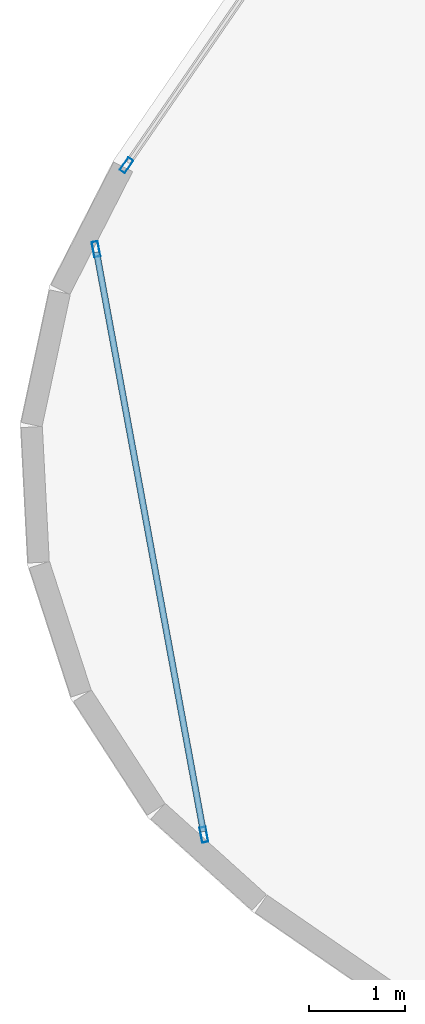
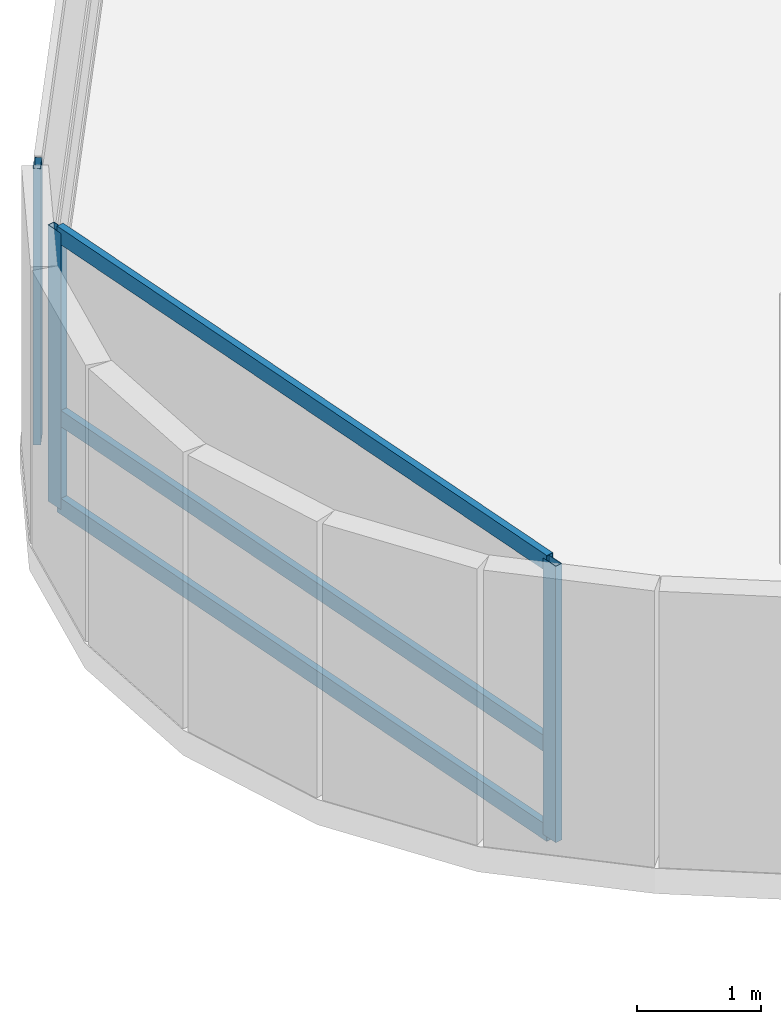
# One storey, part 4 of 26: 6 members, 2 elements without a shape of their own.
"""IFC4 building model written with IfcOpenShell, lengths in metres."""

from ifc_helpers import new_model, si_unit, direction, frame, origin, origin_2d, place, context, subcontext, project, spatial, hollow_rectangle, extrude, material, layer, layer_set, material_profile, profile_set, type_object, element, aggregate, save


model = new_model("IFC4")

# Units and contexts
model_context = context("Model", 3, precision=1e-05, world=origin(), true_north=direction((0.0, 1.0)))
body_context = subcontext(model_context, "Body", "Model", "MODEL_VIEW")
ifc_project = project(units=[si_unit("LENGTHUNIT", "METRE"), si_unit("AREAUNIT", "SQUARE_METRE"), si_unit("VOLUMEUNIT", "CUBIC_METRE"), si_unit("PLANEANGLEUNIT", "RADIAN"), si_unit("MASSUNIT", "GRAM", prefix="KILO")], contexts=[model_context])

# Site, building, storey
site_placement = place(None, origin())
site = spatial("IfcSite", under=ifc_project, at=site_placement, CompositionType="ELEMENT")
building_placement = place(site_placement, origin())
building = spatial("IfcBuilding", under=site, at=building_placement, Name="Varnelok Gate Tower", CompositionType="ELEMENT")
storey_placement = place(building_placement, frame((0.0, 0.0, 45.5)))
storey = spatial("IfcBuildingStorey", under=building, at=storey_placement, Name="L10", CompositionType="ELEMENT", Elevation=45.5)

# Curtain wall, member
ifc_material = material(Name="Anodized Aluminum Alloy 6063-T6", Category="aluminium")
ifc_layer_1 = layer(ifc_material, 0.179931640625)
ifc_layer_set_1 = layer_set([ifc_layer_1], Name="Anodized Aluminum Alloy 6063-T6")
curtain_wall_type_1 = type_object("IfcCurtainWallType", Name="CW3-HOTEL-VISION", PredefinedType="USERDEFINED", material=ifc_layer_set_1)
curtain_wall_1_placement = place(storey_placement, origin())
curtain_wall_1 = element("IfcCurtainWall", 1, at=curtain_wall_1_placement, inside=storey, type_object=curtain_wall_type_1, Name="L10 West End Vision Curtain Wall", ObjectType="UNITISED CURTAIN WALL", PredefinedType="USERDEFINED")
ifc_material_profile_1 = material_profile(ifc_material, hollow_rectangle(XDim=0.06494140625, YDim=0.159912109375, WallThickness=0.00390625, at=origin_2d()), Name="ALU160X65X4")
ifc_profile_set_1 = profile_set([ifc_material_profile_1], Name="Anodized Aluminum Alloy 6063-T6")
member_type_1 = type_object("IfcMemberType", Name="CW-MULL-160", PredefinedType="MULLION", material=ifc_profile_set_1)
member_1_placement = place(storey_placement, frame((-4.1240234375, 31.2607421875, 0.0), z_axis=(0.0, 0.0, 1.0), x_axis=(-0.823532685111, 0.567268822124, 0.0)))
member_1 = element("IfcMember", 2, at=member_1_placement, type_object=member_type_1, Name="CW3 mullion 1", PredefinedType="MULLION", context=body_context, shape_type="SweptSolid", body=[
    extrude(hollow_rectangle(XDim=0.06494140625, YDim=0.159912109375, WallThickness=0.00390625, at=origin_2d()), origin(), (0.0, 0.0, 1.0), 2.72998046875),
])
aggregate(curtain_wall_1, [member_1])

# Curtain wall, members
ifc_layer_2 = layer(ifc_material, 0.179931640625)
ifc_layer_set_2 = layer_set([ifc_layer_2], Name="Anodized Aluminum Alloy 6063-T6")
curtain_wall_type_2 = type_object("IfcCurtainWallType", Name="CW5-WINDCORNER-GLAZ", PredefinedType="USERDEFINED", material=ifc_layer_set_2)
curtain_wall_2_placement = place(storey_placement, origin())
curtain_wall_2 = element("IfcCurtainWall", 3, at=curtain_wall_2_placement, inside=storey, type_object=curtain_wall_type_2, Name="L10 Wind-Shaped Corner Curtain Wall SW", ObjectType="STRUCTURAL GLAZING", PredefinedType="USERDEFINED")
member_2_placement = place(storey_placement, frame((-4.43994140625, 30.39111328125, 0.0), z_axis=(0.0, 0.0, 1.0), x_axis=(0.983445670001, 0.181203239917, 0.0)))
member_2 = element("IfcMember", 4, at=member_2_placement, type_object=member_type_1, Name="CW5 mullion 1", PredefinedType="MULLION", context=body_context, shape_type="SweptSolid", body=[
    extrude(hollow_rectangle(XDim=0.06494140625, YDim=0.159912109375, WallThickness=0.00390625, at=origin_2d()), origin(), (0.0, 0.0, 1.0), 2.72998046875),
])
member_3_placement = place(storey_placement, frame((-3.32177734375, 24.321533203125, 0.0), z_axis=(0.0, 0.0, 1.0), x_axis=(0.983445670001, 0.181203239917, 0.0)))
member_3 = element("IfcMember", 5, at=member_3_placement, type_object=member_type_1, Name="CW5 mullion 2", PredefinedType="MULLION", context=body_context, shape_type="SweptSolid", body=[
    extrude(hollow_rectangle(XDim=0.06494140625, YDim=0.159912109375, WallThickness=0.00390625, at=origin_2d()), origin(), (0.0, 0.0, 1.0), 2.72998046875),
])
ifc_material_profile_2 = material_profile(ifc_material, hollow_rectangle(XDim=0.06494140625, YDim=0.159912109375, WallThickness=0.00390625, at=origin_2d()), Name="ALU160X65X4")
ifc_profile_set_2 = profile_set([ifc_material_profile_2], Name="Anodized Aluminum Alloy 6063-T6")
member_type_2 = type_object("IfcMemberType", Name="CW-TRAN-160", PredefinedType="USERDEFINED", material=ifc_profile_set_2)
member_4_placement = place(storey_placement, frame((-4.43408203125, 30.359130859375, 0.032470703125), z_axis=(0.181185833203, -0.983448877088, 0.0), x_axis=(0.983448877088, 0.181185833203, 0.0)))
member_4 = element("IfcMember", 6, at=member_4_placement, type_object=member_type_2, Name="CW5 transom 1.1", ObjectType="TRANSOM", PredefinedType="USERDEFINED", context=body_context, shape_type="SweptSolid", body=[
    extrude(hollow_rectangle(XDim=0.06494140625, YDim=0.159912109375, WallThickness=0.00390625, at=origin_2d()), origin(), (0.0, 0.0, 1.0), 6.106689453125),
])
member_5_placement = place(storey_placement, frame((-4.43408203125, 30.359130859375, 0.89990234375), z_axis=(0.181185833203, -0.983448877088, 0.0), x_axis=(0.983448877088, 0.181185833203, 0.0)))
member_5 = element("IfcMember", 7, at=member_5_placement, type_object=member_type_2, Name="CW5 transom 1.2", ObjectType="TRANSOM", PredefinedType="USERDEFINED", context=body_context, shape_type="SweptSolid", body=[
    extrude(hollow_rectangle(XDim=0.06494140625, YDim=0.159912109375, WallThickness=0.00390625, at=origin_2d()), origin(), (0.0, 0.0, 1.0), 6.106689453125),
])
member_6_placement = place(storey_placement, frame((-4.43408203125, 30.359130859375, 2.697509765625), z_axis=(0.181185833203, -0.983448877088, 0.0), x_axis=(0.983448877088, 0.181185833203, 0.0)))
member_6 = element("IfcMember", 8, at=member_6_placement, type_object=member_type_2, Name="CW5 transom 1.3", ObjectType="TRANSOM", PredefinedType="USERDEFINED", context=body_context, shape_type="SweptSolid", body=[
    extrude(hollow_rectangle(XDim=0.06494140625, YDim=0.159912109375, WallThickness=0.00390625, at=origin_2d()), origin(), (0.0, 0.0, 1.0), 6.106689453125),
])
aggregate(curtain_wall_2, [member_2, member_3, member_4, member_5, member_6])

save(model, "model.ifc")
